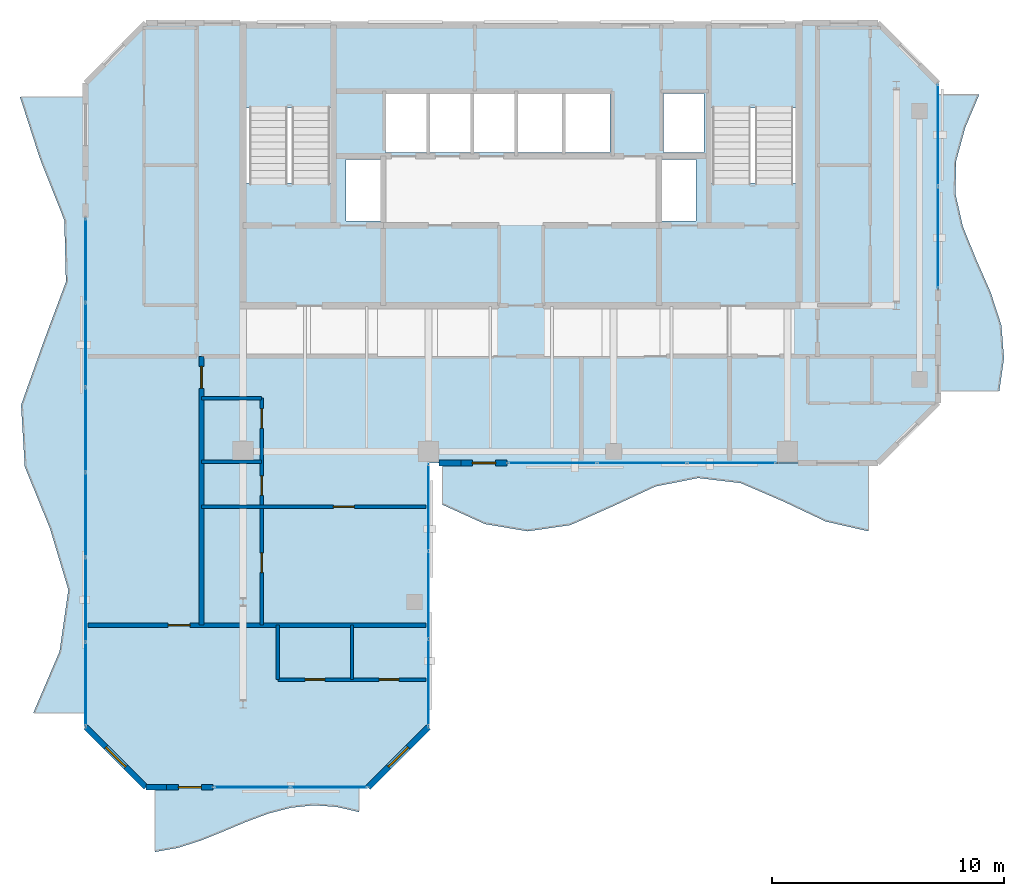
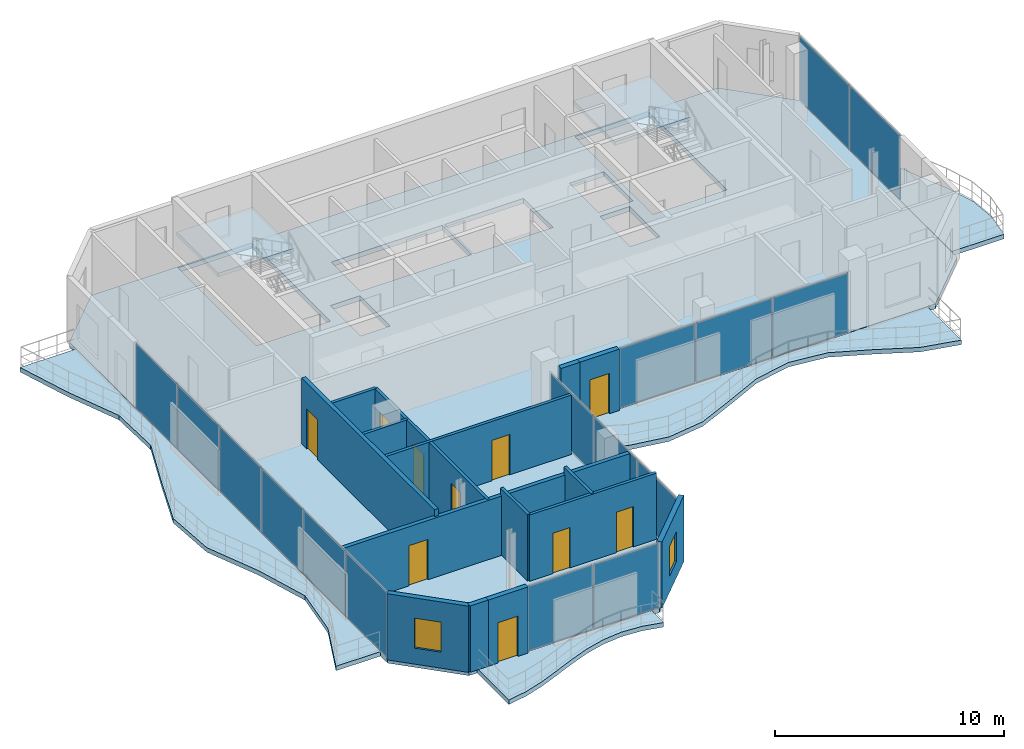
# One storey, part 11 of 16: 16 plates, 15 walls, 10 doors, 7 slabs, 2 windows, 12 openings, 7 elements without a shape of their own.
"""IFC4 building model written with IfcOpenShell, lengths in metres."""

from ifc_helpers import new_model, si_unit, direction, frame, frame_2d, origin, origin_2d, place, context, subcontext, project, spatial, polyline, rectangle, outline, extrude, material, layer, layer_set, type_object, element, fill, aggregate, save


model = new_model("IFC4")

# Units and contexts
model_context = context("Model", 3, precision=1e-05, world=origin(), true_north=direction((0.0, 1.0)))
body_context = subcontext(model_context, "Body", "Model", "MODEL_VIEW")
ifc_project = project(units=[si_unit("LENGTHUNIT", "METRE"), si_unit("AREAUNIT", "SQUARE_METRE"), si_unit("VOLUMEUNIT", "CUBIC_METRE"), si_unit("PLANEANGLEUNIT", "RADIAN"), si_unit("MASSUNIT", "GRAM", prefix="KILO")], contexts=[model_context])

# Site, building, storey
site_placement = place(None, origin())
site = spatial("IfcSite", under=ifc_project, at=site_placement, CompositionType="ELEMENT")
building_placement = place(site_placement, origin())
building = spatial("IfcBuilding", under=site, at=building_placement, Name="Catumbela Crestline Tower", CompositionType="ELEMENT")
storey_placement = place(building_placement, frame((0.0, 0.0, 275.4)))
storey = spatial("IfcBuildingStorey", under=building, at=storey_placement, Name="L71", CompositionType="ELEMENT", Elevation=275.4)

# Curtain wall, plates
ifc_material_1 = material(Name="Aluminium alloy AW-6060-T66", Category="aluminium")
ifc_layer_1 = layer(ifc_material_1, 0.18, Name="Aluminium alloy AW-6060-T66")
ifc_layer_set_1 = layer_set([ifc_layer_1], Name="Aluminium alloy AW-6060-T66")
curtain_wall_type = type_object("IfcCurtainWallType", Name="CWU-Z4", PredefinedType="USERDEFINED", material=ifc_layer_set_1)
curtain_wall_1_placement = place(storey_placement, origin())
curtain_wall_1 = element("IfcCurtainWall", 1, at=curtain_wall_1_placement, inside=storey, type_object=curtain_wall_type, Name="L71 Unitised Curtain Wall CW-L71-E0S2", ObjectType="UNITISED", PredefinedType="USERDEFINED")
ifc_material_2 = material(Name="Low-E laminated solar-control double glazing", Category="glass")
ifc_layer_2 = layer(ifc_material_2, 0.036, Name="Low-E laminated solar-control double glazing")
ifc_layer_set_2 = layer_set([ifc_layer_2], Name="Low-E laminated solar-control double glazing")
plate_type = type_object("IfcPlateType", Name="PNL-GLZ-Z4", PredefinedType="CURTAIN_PANEL", material=ifc_layer_set_2)
plate_1_placement = place(storey_placement, frame((16.3912, 10.0, 0.06), z_axis=(0.0, 0.0, 1.0), x_axis=(1.0, 0.0, 0.0)))
plate_1 = element("IfcPlate", 2, at=plate_1_placement, type_object=plate_type, Name="CWU-Z4 panel 1.1", PredefinedType="CURTAIN_PANEL", context=body_context, shape_type="SweptSolid", body=[
    extrude(rectangle(XDim=3.2525, YDim=0.034, at=origin_2d()), origin(), (0.0, 0.0, 1.0), 3.41),
])
plate_2_placement = place(storey_placement, frame((19.7087, 10.0, 0.06), z_axis=(0.0, 0.0, 1.0), x_axis=(1.0, 0.0, 0.0)))
plate_2 = element("IfcPlate", 3, at=plate_2_placement, type_object=plate_type, Name="CWU-Z4 panel 2.1", PredefinedType="CURTAIN_PANEL", context=body_context, shape_type="SweptSolid", body=[
    extrude(rectangle(XDim=3.2525, YDim=0.034, at=origin_2d()), origin(), (0.0, 0.0, 1.0), 3.41),
])
aggregate(curtain_wall_1, [plate_1, plate_2])

curtain_wall_2_placement = place(storey_placement, origin())
curtain_wall_2 = element("IfcCurtainWall", 4, at=curtain_wall_2_placement, inside=storey, type_object=curtain_wall_type, Name="L71 Unitised Curtain Wall CW-L71-E2S1", ObjectType="UNITISED", PredefinedType="USERDEFINED")
plate_3_placement = place(storey_placement, frame((24.0, 14.5162, 0.06), z_axis=(0.0, 0.0, 1.0), x_axis=(0.0, 1.0, 0.0)))
plate_3 = element("IfcPlate", 5, at=plate_3_placement, type_object=plate_type, Name="CWU-Z4 panel 1.1", PredefinedType="CURTAIN_PANEL", context=body_context, shape_type="SweptSolid", body=[
    extrude(rectangle(XDim=3.7025, YDim=0.034, at=origin_2d()), origin(), (0.0, 0.0, 1.0), 3.04),
])
plate_4_placement = place(storey_placement, frame((24.0, 18.3, 0.06), z_axis=(0.0, 0.0, 1.0), x_axis=(0.0, 1.0, 0.0)))
plate_4 = element("IfcPlate", 6, at=plate_4_placement, type_object=plate_type, Name="CWU-Z4 panel 2.1", PredefinedType="CURTAIN_PANEL", context=body_context, shape_type="SweptSolid", body=[
    extrude(rectangle(XDim=3.735, YDim=0.034, at=origin_2d()), origin(), (0.0, 0.0, 1.0), 3.04),
])
plate_5_placement = place(storey_placement, frame((24.0, 22.0837, 0.06), z_axis=(0.0, 0.0, 1.0), x_axis=(0.0, 1.0, 0.0)))
plate_5 = element("IfcPlate", 7, at=plate_5_placement, type_object=plate_type, Name="CWU-Z4 panel 3.1", PredefinedType="CURTAIN_PANEL", context=body_context, shape_type="SweptSolid", body=[
    extrude(rectangle(XDim=3.7025, YDim=0.034, at=origin_2d()), origin(), (0.0, 0.0, 1.0), 3.04),
])
aggregate(curtain_wall_2, [plate_3, plate_4, plate_5])

curtain_wall_3_placement = place(storey_placement, origin())
curtain_wall_3 = element("IfcCurtainWall", 8, at=curtain_wall_3_placement, inside=storey, type_object=curtain_wall_type, Name="L71 Unitised Curtain Wall CW-L71-E3S2", ObjectType="UNITISED", PredefinedType="USERDEFINED")
plate_6_placement = place(storey_placement, frame((29.3579, 24.0, 0.06), z_axis=(0.0, 0.0, 1.0), x_axis=(1.0, 0.0, 0.0)))
plate_6 = element("IfcPlate", 9, at=plate_6_placement, type_object=plate_type, Name="CWU-Z4 panel 1.1", PredefinedType="CURTAIN_PANEL", context=body_context, shape_type="SweptSolid", body=[
    extrude(rectangle(XDim=3.7858, YDim=0.034, at=origin_2d()), origin(), (0.0, 0.0, 1.0), 3.15),
])
plate_7_placement = place(storey_placement, frame((33.225, 24.0, 0.06), z_axis=(0.0, 0.0, 1.0), x_axis=(1.0, 0.0, 0.0)))
plate_7 = element("IfcPlate", 10, at=plate_7_placement, type_object=plate_type, Name="CWU-Z4 panel 2.1", PredefinedType="CURTAIN_PANEL", context=body_context, shape_type="SweptSolid", body=[
    extrude(rectangle(XDim=3.8183, YDim=0.034, at=origin_2d()), origin(), (0.0, 0.0, 1.0), 3.15),
])
plate_8_placement = place(storey_placement, frame((37.0921, 24.0, 0.06), z_axis=(0.0, 0.0, 1.0), x_axis=(1.0, 0.0, 0.0)))
plate_8 = element("IfcPlate", 11, at=plate_8_placement, type_object=plate_type, Name="CWU-Z4 panel 3.1", PredefinedType="CURTAIN_PANEL", context=body_context, shape_type="SweptSolid", body=[
    extrude(rectangle(XDim=3.7858, YDim=0.034, at=origin_2d()), origin(), (0.0, 0.0, 1.0), 3.15),
])
aggregate(curtain_wall_3, [plate_6, plate_7, plate_8])

curtain_wall_4_placement = place(storey_placement, origin())
curtain_wall_4 = element("IfcCurtainWall", 12, at=curtain_wall_4_placement, inside=storey, type_object=curtain_wall_type, Name="L71 Unitised Curtain Wall CW-L71-E5S2", ObjectType="UNITISED", PredefinedType="USERDEFINED")
plate_9_placement = place(storey_placement, frame((46.0, 33.7412, 0.06), z_axis=(0.0, 0.0, 1.0), x_axis=(0.0, 1.0, 0.0)))
plate_9 = element("IfcPlate", 13, at=plate_9_placement, type_object=plate_type, Name="CWU-Z4 panel 1.1", PredefinedType="CURTAIN_PANEL", context=body_context, shape_type="SweptSolid", body=[
    extrude(rectangle(XDim=4.3525, YDim=0.034, at=origin_2d()), origin(), (0.0, 0.0, 1.0), 3.41),
])
plate_10_placement = place(storey_placement, frame((46.0, 38.1588, 0.06), z_axis=(0.0, 0.0, 1.0), x_axis=(0.0, 1.0, 0.0)))
plate_10 = element("IfcPlate", 14, at=plate_10_placement, type_object=plate_type, Name="CWU-Z4 panel 2.1", PredefinedType="CURTAIN_PANEL", context=body_context, shape_type="SweptSolid", body=[
    extrude(rectangle(XDim=4.3525, YDim=0.034, at=origin_2d()), origin(), (0.0, 0.0, 1.0), 3.41),
])
aggregate(curtain_wall_4, [plate_9, plate_10])

curtain_wall_5_placement = place(storey_placement, origin())
curtain_wall_5 = element("IfcCurtainWall", 15, at=curtain_wall_5_placement, inside=storey, type_object=curtain_wall_type, Name="L71 Unitised Curtain Wall CW-L71-E9S2", ObjectType="UNITISED", PredefinedType="USERDEFINED")
plate_11_placement = place(storey_placement, frame((9.2, 32.7504, 0.06), z_axis=(0.0, 0.0, 1.0), x_axis=(0.0, -1.0, 0.0)))
plate_11 = element("IfcPlate", 16, at=plate_11_placement, type_object=plate_type, Name="CWU-Z4 panel 1.1", PredefinedType="CURTAIN_PANEL", context=body_context, shape_type="SweptSolid", body=[
    extrude(rectangle(XDim=3.5692, YDim=0.034, at=origin_2d()), origin(), (0.0, 0.0, 1.0), 3.41),
])
plate_12_placement = place(storey_placement, frame((9.2, 29.1, 0.06), z_axis=(0.0, 0.0, 1.0), x_axis=(0.0, -1.0, 0.0)))
plate_12 = element("IfcPlate", 17, at=plate_12_placement, type_object=plate_type, Name="CWU-Z4 panel 2.1", PredefinedType="CURTAIN_PANEL", context=body_context, shape_type="SweptSolid", body=[
    extrude(rectangle(XDim=3.6017, YDim=0.034, at=origin_2d()), origin(), (0.0, 0.0, 1.0), 3.41),
])
plate_13_placement = place(storey_placement, frame((9.2, 25.4333, 0.06), z_axis=(0.0, 0.0, 1.0), x_axis=(0.0, -1.0, 0.0)))
plate_13 = element("IfcPlate", 18, at=plate_13_placement, type_object=plate_type, Name="CWU-Z4 panel 3.1", PredefinedType="CURTAIN_PANEL", context=body_context, shape_type="SweptSolid", body=[
    extrude(rectangle(XDim=3.6017, YDim=0.034, at=origin_2d()), origin(), (0.0, 0.0, 1.0), 3.41),
])
plate_14_placement = place(storey_placement, frame((9.2, 21.7667, 0.06), z_axis=(0.0, 0.0, 1.0), x_axis=(0.0, -1.0, 0.0)))
plate_14 = element("IfcPlate", 19, at=plate_14_placement, type_object=plate_type, Name="CWU-Z4 panel 4.1", PredefinedType="CURTAIN_PANEL", context=body_context, shape_type="SweptSolid", body=[
    extrude(rectangle(XDim=3.6017, YDim=0.034, at=origin_2d()), origin(), (0.0, 0.0, 1.0), 3.41),
])
plate_15_placement = place(storey_placement, frame((9.2, 18.1, 0.06), z_axis=(0.0, 0.0, 1.0), x_axis=(0.0, -1.0, 0.0)))
plate_15 = element("IfcPlate", 20, at=plate_15_placement, type_object=plate_type, Name="CWU-Z4 panel 5.1", PredefinedType="CURTAIN_PANEL", context=body_context, shape_type="SweptSolid", body=[
    extrude(rectangle(XDim=3.6017, YDim=0.034, at=origin_2d()), origin(), (0.0, 0.0, 1.0), 3.41),
])
plate_16_placement = place(storey_placement, frame((9.2, 14.4496, 0.06), z_axis=(0.0, 0.0, 1.0), x_axis=(0.0, -1.0, 0.0)))
plate_16 = element("IfcPlate", 21, at=plate_16_placement, type_object=plate_type, Name="CWU-Z4 panel 6.1", PredefinedType="CURTAIN_PANEL", context=body_context, shape_type="SweptSolid", body=[
    extrude(rectangle(XDim=3.5692, YDim=0.034, at=origin_2d()), origin(), (0.0, 0.0, 1.0), 3.41),
])
aggregate(curtain_wall_5, [plate_11, plate_12, plate_13, plate_14, plate_15, plate_16])

# Stair, slab
ifc_material_3 = material(Name="Concrete C45/55", Category="concrete")
stair_type = type_object("IfcStairType", Name="ST-DLG", PredefinedType="HALF_TURN_STAIR", material=ifc_material_3)
stair_1_placement = place(storey_placement, origin())
stair_1 = element("IfcStair", 22, at=stair_1_placement, inside=storey, type_object=stair_type, Name="L71 West Core Pressurised Exit Stair ST-01", PredefinedType="HALF_TURN_STAIR")
ifc_layer_3 = layer(ifc_material_3, 0.2, Name="Concrete C45/55")
ifc_layer_set_3 = layer_set([ifc_layer_3], Name="Concrete C45/55")
slab_type_1 = type_object("IfcSlabType", Name="SL-LND", PredefinedType="LANDING", material=ifc_layer_set_3)
slab_1_placement = place(storey_placement, frame((0.0, 0.0, 1.7)))
slab_1 = element("IfcSlab", 23, at=slab_1_placement, type_object=slab_type_1, Name="ST-01 landing 1", PredefinedType="LANDING", context=body_context, shape_type="SweptSolid", body=[
    extrude(outline(polyline([(19.91, 39.33), (19.91, 42.96), (16.09, 42.96), (16.09, 39.33), (19.91, 39.33)])), origin(), (0.0, 0.0, 1.0), 0.2),
])
aggregate(stair_1, [slab_1])

stair_2_placement = place(storey_placement, origin())
stair_2 = element("IfcStair", 24, at=stair_2_placement, inside=storey, type_object=stair_type, Name="L71 East Core Pressurised Exit Stair ST-02", PredefinedType="HALF_TURN_STAIR")
slab_2_placement = place(storey_placement, frame((0.0, 0.0, 1.7)))
slab_2 = element("IfcSlab", 25, at=slab_2_placement, type_object=slab_type_1, Name="ST-02 landing 1", PredefinedType="LANDING", context=body_context, shape_type="SweptSolid", body=[
    extrude(outline(polyline([(39.91, 39.33), (39.91, 42.96), (36.09, 42.96), (36.09, 39.33), (39.91, 39.33)])), origin(), (0.0, 0.0, 1.0), 0.2),
])
aggregate(stair_2, [slab_2])

# Slabs
ifc_layer_4 = layer(ifc_material_3, 0.26, Name="Concrete C45/55")
ifc_layer_set_4 = layer_set([ifc_layer_4], Name="Concrete C45/55")
slab_type_2 = type_object("IfcSlabType", Name="SL-260", PredefinedType="FLOOR", material=ifc_layer_set_4)
slab_3_placement = place(storey_placement, frame((0.0, 0.0, -0.26)))
element("IfcSlab", 26, at=slab_3_placement, inside=storey, type_object=slab_type_2, Name="L71 Structural Floor Slab", PredefinedType="FLOOR", context=body_context, shape_type="SweptSolid", body=[
    extrude(outline(polyline([(11.8, 10.0), (21.4, 10.0), (24.0, 12.6), (24.0, 24.0), (43.4, 24.0), (46.0, 26.6), (46.0, 40.4), (43.4, 43.0), (11.8, 43.0), (9.2, 40.4), (9.2, 12.6), (11.8, 10.0)]), holes=[polyline([(16.13, 36.08), (19.87, 36.08), (19.87, 42.92), (16.13, 42.92), (16.13, 36.08)]), polyline([(36.13, 36.08), (39.87, 36.08), (39.87, 42.92), (36.13, 42.92), (36.13, 36.08)]), polyline([(22.15, 37.4), (27.75, 37.4), (27.75, 39.95), (22.15, 39.95), (22.15, 37.4)]), polyline([(27.85, 37.4), (31.85, 37.4), (31.85, 39.95), (27.85, 39.95), (27.85, 37.4)]), polyline([(20.45, 34.45), (21.95, 34.45), (21.95, 37.1), (20.45, 37.1), (20.45, 34.45)]), polyline([(34.05, 34.45), (35.55, 34.45), (35.55, 37.1), (34.05, 37.1), (34.05, 34.45)]), polyline([(34.15, 37.4), (35.9, 37.4), (35.9, 39.95), (34.15, 39.95), (34.15, 37.4)])]), origin(), (0.0, 0.0, 1.0), 0.26),
])
ifc_layer_5 = layer(ifc_material_3, 0.24, Name="Concrete C45/55")
ifc_layer_set_5 = layer_set([ifc_layer_5], Name="Concrete C45/55")
slab_type_3 = type_object("IfcSlabType", Name="SB-240W", PredefinedType="USERDEFINED", material=ifc_layer_set_5)
slab_4_placement = place(storey_placement, frame((0.0, 0.0, -0.24)))
element("IfcSlab", 27, at=slab_4_placement, inside=storey, type_object=slab_type_3, Name="L71 Cantilevered Wave Balcony Slab SPINE-S", ObjectType="BALCONY", PredefinedType="USERDEFINED", context=body_context, shape_type="SweptSolid", body=[
    extrude(outline(polyline([(24.6, 22.2), (26.44, 21.364), (28.28, 21.05), (30.12, 21.315), (31.96, 22.1297), (33.8, 22.9841), (35.64, 23.35), (37.48, 23.131), (39.32, 22.3404), (41.16, 21.4705), (43.0, 21.05), (43.0, 23.99), (24.6, 23.99), (24.6, 22.2)])), origin(), (0.0, 0.0, 1.0), 0.24),
])
slab_5_placement = place(storey_placement, frame((0.0, 0.0, -0.24)))
element("IfcSlab", 28, at=slab_5_placement, inside=storey, type_object=slab_type_3, Name="L71 Cantilevered Wave Balcony Slab SPINE-E", ObjectType="BALCONY", PredefinedType="USERDEFINED", context=body_context, shape_type="SweptSolid", body=[
    extrude(outline(polyline([(46.01, 27.1), (48.646, 27.1), (48.85, 28.5222), (48.7369, 29.9444), (48.274, 31.3667), (47.6478, 32.7889), (47.0741, 34.2111), (46.7504, 35.6333), (46.7884, 37.0556), (47.1749, 38.4778), (47.7767, 39.9), (46.01, 39.9), (46.01, 27.1)])), origin(), (0.0, 0.0, 1.0), 0.24),
])
slab_6_placement = place(storey_placement, frame((0.0, 0.0, -0.24)))
element("IfcSlab", 29, at=slab_6_placement, inside=storey, type_object=slab_type_3, Name="L71 Cantilevered Wave Balcony Slab WING-S", ObjectType="BALCONY", PredefinedType="USERDEFINED", context=body_context, shape_type="SweptSolid", body=[
    extrude(outline(polyline([(12.2, 7.2067), (13.1778, 7.3811), (14.1556, 7.691), (15.1333, 8.0851), (16.1111, 8.4982), (17.0889, 8.862), (18.0667, 9.1162), (19.0444, 9.2189), (20.0222, 9.1531), (21.0, 8.9296), (21.0, 9.99), (12.2, 9.99), (12.2, 7.2067)])), origin(), (0.0, 0.0, 1.0), 0.24),
])
slab_7_placement = place(storey_placement, frame((0.0, 0.0, -0.24)))
element("IfcSlab", 30, at=slab_7_placement, inside=storey, type_object=slab_type_3, Name="L71 Cantilevered Wave Balcony Slab WEST", ObjectType="BALCONY", PredefinedType="USERDEFINED", context=body_context, shape_type="SweptSolid", body=[
    extrude(outline(polyline([(9.19, 39.8), (6.3666, 39.8), (7.2262, 37.14), (8.2801, 34.48), (8.3498, 31.82), (7.3574, 29.16), (6.4126, 26.5), (6.572, 23.84), (7.6573, 21.18), (8.4549, 18.52), (8.0729, 15.86), (6.9384, 13.2), (9.19, 13.2), (9.19, 39.8)])), origin(), (0.0, 0.0, 1.0), 0.24),
])

# Wall, opening, door
ifc_material_4 = material(Name="Acoustic gypsum and mineral-wool partition")
ifc_layer_6 = layer(ifc_material_4, 0.2, Name="Acoustic gypsum and mineral-wool partition")
ifc_layer_set_6 = layer_set([ifc_layer_6], Name="Acoustic gypsum and mineral-wool partition")
wall_type_1 = type_object("IfcWallType", Name="WC-200", PredefinedType="PARTITIONING", material=ifc_layer_set_6)
wall_1_placement = place(storey_placement, frame((14.2, 17.0, 0.0), z_axis=(0.0, 0.0, 1.0), x_axis=(0.0, 1.0, 0.0)))
wall_1 = element("IfcWall", 31, at=wall_1_placement, inside=storey, type_object=wall_type_1, Name="L71 Interior Partition PW-L71-WR1-ENT", PredefinedType="PARTITIONING", context=body_context, shape_type="SweptSolid", body=[
    extrude(rectangle(XDim=11.6, YDim=0.2, at=frame_2d((5.8, 0.0))), origin(), (0.0, 0.0, 1.0), 3.53),
])
opening_1_placement = place(wall_1_placement, frame((10.225, 0.0, 0.0)))
opening_1 = element("IfcOpeningElement", 32, at=opening_1_placement, cuts=wall_1, Name="Opening DF6-095", PredefinedType="OPENING", context=body_context, shape_type="SweptSolid", body=[
    extrude(rectangle(XDim=0.95, YDim=2.15, at=frame_2d((0.475, 1.075))), frame((0.0, 0.11, 0.0), z_axis=(0.0, -1.0, 0.0), x_axis=(1.0, 0.0, 0.0)), (0.0, 0.0, 1.0), 0.22),
])
door_type_1 = type_object("IfcDoorType", Name="DF6-095", OperationType="NOTDEFINED", PredefinedType="DOOR", material=ifc_material_1)
door_1_placement = place(opening_1_placement, origin())
door_1 = element("IfcDoor", 33, at=door_1_placement, inside=storey, type_object=door_type_1, Name="L71 Interior Door DR-L71-WR1-ENT", OperationType="SINGLE_SWING_LEFT", OverallHeight=2.15, OverallWidth=0.95, PredefinedType="DOOR", context=body_context, shape_type="SweptSolid", body=[
    extrude(rectangle(XDim=0.95, YDim=2.15, at=frame_2d((0.475, 1.075))), frame((0.0, 0.025, 0.0), z_axis=(0.0, -1.0, 0.0), x_axis=(1.0, 0.0, 0.0)), (0.0, 0.0, 1.0), 0.05),
])
fill(opening_1, door_1)

ifc_material_5 = material(Name="Angolan grey-ochre granite", Category="masonry")
ifc_layer_7 = layer(ifc_material_5, 0.25, Name="Angolan grey-ochre granite")
ifc_layer_set_7 = layer_set([ifc_layer_7], Name="Angolan grey-ochre granite")
wall_type_2 = type_object("IfcWallType", Name="WE-250", PredefinedType="STANDARD", material=ifc_layer_set_7)
wall_2_placement = place(storey_placement, frame((12.7, 10.0, 0.0), z_axis=(0.0, 0.0, 1.0), x_axis=(1.0, 0.0, 0.0)))
wall_2 = element("IfcWall", 34, at=wall_2_placement, inside=storey, type_object=wall_type_2, Name="L71 Exterior Threshold Portal Wall DR-L71-WBAL-3", PredefinedType="STANDARD", context=body_context, shape_type="SweptSolid", body=[
    extrude(rectangle(XDim=2.0, YDim=0.25, at=frame_2d((1.0, 0.0))), origin(), (0.0, 0.0, 1.0), 3.53),
])
opening_2_placement = place(wall_2_placement, frame((0.5, 0.0, 0.0)))
opening_2 = element("IfcOpeningElement", 35, at=opening_2_placement, cuts=wall_2, Name="Opening DB-L71-3", PredefinedType="OPENING", context=body_context, shape_type="SweptSolid", body=[
    extrude(rectangle(XDim=1.0, YDim=2.15, at=frame_2d((0.5, 1.075))), frame((0.0, 0.135, 0.0), z_axis=(0.0, -1.0, 0.0), x_axis=(1.0, 0.0, 0.0)), (0.0, 0.0, 1.0), 0.27),
])
door_type_2 = type_object("IfcDoorType", Name="DB-1000", OperationType="NOTDEFINED", PredefinedType="DOOR", material=ifc_material_1)
door_2_placement = place(opening_2_placement, origin())
door_2 = element("IfcDoor", 36, at=door_2_placement, inside=storey, type_object=door_type_2, Name="L71 Wave Balcony Terrace Door 3", OperationType="SINGLE_SWING_LEFT", OverallHeight=2.15, OverallWidth=1.0, PredefinedType="DOOR", context=body_context, shape_type="SweptSolid", body=[
    extrude(rectangle(XDim=1.0, YDim=2.15, at=frame_2d((0.5, 1.075))), frame((0.0, 0.025, 0.0), z_axis=(0.0, -1.0, 0.0), x_axis=(1.0, 0.0, 0.0)), (0.0, 0.0, 1.0), 0.05),
])
fill(opening_2, door_2)

# Wall
wall_3_placement = place(storey_placement, frame((11.8, 10.0, 0.0), z_axis=(0.0, 0.0, 1.0), x_axis=(1.0, 0.0, 0.0)))
element("IfcWall", 37, at=wall_3_placement, inside=storey, type_object=wall_type_2, Name="L71 Granite Punched Window Wall 0-1", PredefinedType="STANDARD", context=body_context, shape_type="SweptSolid", body=[
    extrude(rectangle(XDim=0.9, YDim=0.25, at=frame_2d((0.45, 0.0))), origin(), (0.0, 0.0, 1.0), 3.53),
])

# Wall, opening, window
wall_4_placement = place(storey_placement, frame((21.4, 10.0, 0.0), z_axis=(0.0, 0.0, 1.0), x_axis=(0.707106781187, 0.707106781187, 0.0)))
wall_4 = element("IfcWall", 38, at=wall_4_placement, inside=storey, type_object=wall_type_2, Name="L71 Granite Punched Window Wall 1-1", PredefinedType="STANDARD", context=body_context, shape_type="SweptSolid", body=[
    extrude(rectangle(XDim=3.677, YDim=0.25, at=frame_2d((1.8385, 0.0))), origin(), (0.0, 0.0, 1.0), 3.53),
])
opening_3_placement = place(wall_4_placement, frame((1.2385, 0.0, 0.85)))
opening_3 = element("IfcOpeningElement", 39, at=opening_3_placement, cuts=wall_4, Name="Opening WN-02", PredefinedType="OPENING", context=body_context, shape_type="SweptSolid", body=[
    extrude(rectangle(XDim=1.2, YDim=1.6, at=frame_2d((0.6, 0.8))), frame((0.0, 0.135, 0.0), z_axis=(0.0, -1.0, 0.0), x_axis=(1.0, 0.0, 0.0)), (0.0, 0.0, 1.0), 0.27),
])
window_type = type_object("IfcWindowType", Name="WO-1200", PartitioningType="SINGLE_PANEL", PredefinedType="WINDOW", material=ifc_material_2)
window_1_placement = place(opening_3_placement, origin())
window_1 = element("IfcWindow", 40, at=window_1_placement, inside=storey, type_object=window_type, Name="L71 Facade Vision Window 566", OverallHeight=1.6, OverallWidth=1.2, PartitioningType="SINGLE_PANEL", PredefinedType="WINDOW", context=body_context, shape_type="SweptSolid", body=[
    extrude(rectangle(XDim=1.2, YDim=1.6, at=frame_2d((0.6, 0.8))), frame((0.0, 0.03, 0.0), z_axis=(0.0, -1.0, 0.0), x_axis=(1.0, 0.0, 0.0)), (0.0, 0.0, 1.0), 0.06),
])
fill(opening_3, window_1)

# Wall, opening, door
wall_5_placement = place(storey_placement, frame((25.4, 24.0, 0.0), z_axis=(0.0, 0.0, 1.0), x_axis=(1.0, 0.0, 0.0)))
wall_5 = element("IfcWall", 41, at=wall_5_placement, inside=storey, type_object=wall_type_2, Name="L71 Exterior Threshold Portal Wall DR-L71-WBAL-1", PredefinedType="STANDARD", context=body_context, shape_type="SweptSolid", body=[
    extrude(rectangle(XDim=2.0, YDim=0.25, at=frame_2d((1.0, 0.0))), origin(), (0.0, 0.0, 1.0), 3.27),
])
opening_4_placement = place(wall_5_placement, frame((0.5, 0.0, 0.0)))
opening_4 = element("IfcOpeningElement", 42, at=opening_4_placement, cuts=wall_5, Name="Opening DB-L71-1", PredefinedType="OPENING", context=body_context, shape_type="SweptSolid", body=[
    extrude(rectangle(XDim=1.0, YDim=2.15, at=frame_2d((0.5, 1.075))), frame((0.0, 0.135, 0.0), z_axis=(0.0, -1.0, 0.0), x_axis=(1.0, 0.0, 0.0)), (0.0, 0.0, 1.0), 0.27),
])
door_3_placement = place(opening_4_placement, origin())
door_3 = element("IfcDoor", 43, at=door_3_placement, inside=storey, type_object=door_type_2, Name="L71 Wave Balcony Terrace Door 1", OperationType="SINGLE_SWING_LEFT", OverallHeight=2.15, OverallWidth=1.0, PredefinedType="DOOR", context=body_context, shape_type="SweptSolid", body=[
    extrude(rectangle(XDim=1.0, YDim=2.15, at=frame_2d((0.5, 1.075))), frame((0.0, 0.025, 0.0), z_axis=(0.0, -1.0, 0.0), x_axis=(1.0, 0.0, 0.0)), (0.0, 0.0, 1.0), 0.05),
])
fill(opening_4, door_3)

# Wall
wall_6_placement = place(storey_placement, frame((24.45, 24.0, 0.0), z_axis=(0.0, 0.0, 1.0), x_axis=(1.0, 0.0, 0.0)))
element("IfcWall", 44, at=wall_6_placement, inside=storey, type_object=wall_type_2, Name="L71 Granite Punched Window Wall 3-1", PredefinedType="STANDARD", context=body_context, shape_type="SweptSolid", body=[
    extrude(rectangle(XDim=0.95, YDim=0.25, at=frame_2d((0.475, 0.0))), origin(), (0.0, 0.0, 1.0), 3.27),
])

# Wall, opening, window
wall_7_placement = place(storey_placement, frame((9.2, 12.6, 0.0), z_axis=(0.0, 0.0, 1.0), x_axis=(0.707106781187, -0.707106781187, 0.0)))
wall_7 = element("IfcWall", 45, at=wall_7_placement, inside=storey, type_object=wall_type_2, Name="L71 Granite Punched Window Wall 10-1", PredefinedType="STANDARD", context=body_context, shape_type="SweptSolid", body=[
    extrude(rectangle(XDim=3.677, YDim=0.25, at=frame_2d((1.8385, 0.0))), origin(), (0.0, 0.0, 1.0), 3.53),
])
opening_5_placement = place(wall_7_placement, frame((1.2385, 0.0, 0.85)))
opening_5 = element("IfcOpeningElement", 46, at=opening_5_placement, cuts=wall_7, Name="Opening WN-02", PredefinedType="OPENING", context=body_context, shape_type="SweptSolid", body=[
    extrude(rectangle(XDim=1.2, YDim=1.6, at=frame_2d((0.6, 0.8))), frame((0.0, 0.135, 0.0), z_axis=(0.0, -1.0, 0.0), x_axis=(1.0, 0.0, 0.0)), (0.0, 0.0, 1.0), 0.27),
])
window_2_placement = place(opening_5_placement, origin())
window_2 = element("IfcWindow", 47, at=window_2_placement, inside=storey, type_object=window_type, Name="L71 Facade Vision Window 576", OverallHeight=1.6, OverallWidth=1.2, PartitioningType="SINGLE_PANEL", PredefinedType="WINDOW", context=body_context, shape_type="SweptSolid", body=[
    extrude(rectangle(XDim=1.2, YDim=1.6, at=frame_2d((0.6, 0.8))), frame((0.0, 0.03, 0.0), z_axis=(0.0, -1.0, 0.0), x_axis=(1.0, 0.0, 0.0)), (0.0, 0.0, 1.0), 0.06),
])
fill(opening_5, window_2)

# Wall, opening, door
ifc_layer_8 = layer(ifc_material_4, 0.15, Name="Acoustic gypsum and mineral-wool partition")
ifc_layer_set_8 = layer_set([ifc_layer_8], Name="Acoustic gypsum and mineral-wool partition")
wall_type_3 = type_object("IfcWallType", Name="WP-150", PredefinedType="PARTITIONING", material=ifc_layer_set_8)
wall_8_placement = place(storey_placement, frame((14.2, 22.104, 0.0), z_axis=(0.0, 0.0, 1.0), x_axis=(1.0, 0.0, 0.0)))
wall_8 = element("IfcWall", 48, at=wall_8_placement, inside=storey, type_object=wall_type_3, Name="L71 Interior Partition PW-L71-WR1-KBS", PredefinedType="PARTITIONING", context=body_context, shape_type="SweptSolid", body=[
    extrude(rectangle(XDim=9.7, YDim=0.15, at=frame_2d((4.85, 0.0))), origin(), (0.0, 0.0, 1.0), 3.16),
])
opening_6_placement = place(wall_8_placement, frame((5.7, 0.0, 0.0)))
opening_6 = element("IfcOpeningElement", 49, at=opening_6_placement, cuts=wall_8, Name="Opening DI-090", PredefinedType="OPENING", context=body_context, shape_type="SweptSolid", body=[
    extrude(rectangle(XDim=0.9, YDim=2.15, at=frame_2d((0.45, 1.075))), frame((0.0, 0.085, 0.0), z_axis=(0.0, -1.0, 0.0), x_axis=(1.0, 0.0, 0.0)), (0.0, 0.0, 1.0), 0.17),
])
door_type_3 = type_object("IfcDoorType", Name="DI-090", OperationType="NOTDEFINED", PredefinedType="DOOR", material=ifc_material_1)
door_4_placement = place(opening_6_placement, origin())
door_4 = element("IfcDoor", 50, at=door_4_placement, inside=storey, type_object=door_type_3, Name="L71 Interior Door DR-L71-WR1-BD1", OperationType="SINGLE_SWING_LEFT", OverallHeight=2.15, OverallWidth=0.9, PredefinedType="DOOR", context=body_context, shape_type="SweptSolid", body=[
    extrude(rectangle(XDim=0.9, YDim=2.15, at=frame_2d((0.45, 1.075))), frame((0.0, 0.025, 0.0), z_axis=(0.0, -1.0, 0.0), x_axis=(1.0, 0.0, 0.0)), (0.0, 0.0, 1.0), 0.05),
])
fill(opening_6, door_4)

# Walls
for number, where, z_axis, x_axis, name in (
    (51, (14.2, 24.054, 0.0), (0.0, 0.0, 1.0), (1.0, 0.0, 0.0), "L71 Interior Partition PW-L71-WR1-KBM"),
    (52, (14.2, 26.8, 0.0), (0.0, 0.0, 1.0), (1.0, 0.0, 0.0), "L71 Interior Partition PW-L71-WR1-KBN"),
):
    element("IfcWall", number, at=place(storey_placement, frame(where, z_axis=z_axis, x_axis=x_axis)), inside=storey, type_object=wall_type_3, Name=name, PredefinedType="PARTITIONING", context=body_context, shape_type="SweptSolid", body=[
        extrude(rectangle(XDim=2.6, YDim=0.15, at=frame_2d((1.3, 0.0))), origin(), (0.0, 0.0, 1.0), 3.16),
    ])

# Wall, openings, doors
wall_9_placement = place(storey_placement, frame((16.8, 17.0, 0.0), z_axis=(0.0, 0.0, 1.0), x_axis=(0.0, 1.0, 0.0)))
wall_9 = element("IfcWall", 53, at=wall_9_placement, inside=storey, type_object=wall_type_3, Name="L71 Interior Partition PW-L71-WR1-LB", PredefinedType="PARTITIONING", context=body_context, shape_type="SweptSolid", body=[
    extrude(rectangle(XDim=9.8, YDim=0.15, at=frame_2d((4.9, 0.0))), origin(), (0.0, 0.0, 1.0), 3.16),
])
opening_7_placement = place(wall_9_placement, frame((5.5983, 0.0, 0.0)))
opening_7 = element("IfcOpeningElement", 54, at=opening_7_placement, cuts=wall_9, Name="Opening DI-085", PredefinedType="OPENING", context=body_context, shape_type="SweptSolid", body=[
    extrude(rectangle(XDim=0.85, YDim=2.15, at=frame_2d((0.425, 1.075))), frame((0.0, 0.085, 0.0), z_axis=(0.0, -1.0, 0.0), x_axis=(1.0, 0.0, 0.0)), (0.0, 0.0, 1.0), 0.17),
])
opening_8_placement = place(wall_9_placement, frame((8.4963, 0.0, 0.0)))
opening_8 = element("IfcOpeningElement", 55, at=opening_8_placement, cuts=wall_9, Name="Opening DI-085", PredefinedType="OPENING", context=body_context, shape_type="SweptSolid", body=[
    extrude(rectangle(XDim=0.85, YDim=2.15, at=frame_2d((0.425, 1.075))), frame((0.0, 0.085, 0.0), z_axis=(0.0, -1.0, 0.0), x_axis=(1.0, 0.0, 0.0)), (0.0, 0.0, 1.0), 0.17),
])
opening_9_placement = place(wall_9_placement, frame((2.2684, 0.0, 0.0)))
opening_9 = element("IfcOpeningElement", 56, at=opening_9_placement, cuts=wall_9, Name="Opening DI-085", PredefinedType="OPENING", context=body_context, shape_type="SweptSolid", body=[
    extrude(rectangle(XDim=0.85, YDim=2.15, at=frame_2d((0.425, 1.075))), frame((0.0, 0.085, 0.0), z_axis=(0.0, -1.0, 0.0), x_axis=(1.0, 0.0, 0.0)), (0.0, 0.0, 1.0), 0.17),
])
door_type_4 = type_object("IfcDoorType", Name="DI-085", OperationType="NOTDEFINED", PredefinedType="DOOR", material=ifc_material_1)
door_5_placement = place(opening_7_placement, origin())
door_5 = element("IfcDoor", 57, at=door_5_placement, inside=storey, type_object=door_type_4, Name="L71 Interior Door DR-L71-WR1-BTH", OperationType="SINGLE_SWING_LEFT", OverallHeight=2.15, OverallWidth=0.85, PredefinedType="DOOR", context=body_context, shape_type="SweptSolid", body=[
    extrude(rectangle(XDim=0.85, YDim=2.15, at=frame_2d((0.425, 1.075))), frame((0.0, 0.025, 0.0), z_axis=(0.0, -1.0, 0.0), x_axis=(1.0, 0.0, 0.0)), (0.0, 0.0, 1.0), 0.05),
])
fill(opening_7, door_5)
door_6_placement = place(opening_8_placement, origin())
door_6 = element("IfcDoor", 58, at=door_6_placement, inside=storey, type_object=door_type_4, Name="L71 Interior Door DR-L71-WR1-KIT", OperationType="SINGLE_SWING_RIGHT", OverallHeight=2.15, OverallWidth=0.85, PredefinedType="DOOR", context=body_context, shape_type="SweptSolid", body=[
    extrude(rectangle(XDim=0.85, YDim=2.15, at=frame_2d((0.425, 1.075))), frame((0.0, 0.025, 0.0), z_axis=(0.0, -1.0, 0.0), x_axis=(1.0, 0.0, 0.0)), (0.0, 0.0, 1.0), 0.05),
])
fill(opening_8, door_6)
door_7_placement = place(opening_9_placement, origin())
door_7 = element("IfcDoor", 59, at=door_7_placement, inside=storey, type_object=door_type_4, Name="L71 Interior Door DR-L71-WR1-WIR", OperationType="SINGLE_SWING_LEFT", OverallHeight=2.15, OverallWidth=0.85, PredefinedType="DOOR", context=body_context, shape_type="SweptSolid", body=[
    extrude(rectangle(XDim=0.85, YDim=2.15, at=frame_2d((0.425, 1.075))), frame((0.0, 0.025, 0.0), z_axis=(0.0, -1.0, 0.0), x_axis=(1.0, 0.0, 0.0)), (0.0, 0.0, 1.0), 0.05),
])
fill(opening_9, door_7)

# Walls
for number, where, z_axis, x_axis, name in (
    (60, (17.5, 14.65, 0.0), (0.0, 0.0, 1.0), (0.0, 1.0, 0.0), "L71 Interior Partition PW-L71-SH1-KBW"),
    (61, (20.7, 14.65, 0.0), (0.0, 0.0, 1.0), (0.0, 1.0, 0.0), "L71 Interior Partition PW-L71-SH1-KBM"),
):
    element("IfcWall", number, at=place(storey_placement, frame(where, z_axis=z_axis, x_axis=x_axis)), inside=storey, type_object=wall_type_3, Name=name, PredefinedType="PARTITIONING", context=body_context, shape_type="SweptSolid", body=[
        extrude(rectangle(XDim=2.35, YDim=0.15, at=frame_2d((1.175, 0.0))), origin(), (0.0, 0.0, 1.0), 3.53),
    ])

# Wall, openings, doors
wall_10_placement = place(storey_placement, frame((17.5, 14.65, 0.0), z_axis=(0.0, 0.0, 1.0), x_axis=(1.0, 0.0, 0.0)))
wall_10 = element("IfcWall", 62, at=wall_10_placement, inside=storey, type_object=wall_type_3, Name="L71 Interior Partition PW-L71-SH1-KBD1", PredefinedType="PARTITIONING", context=body_context, shape_type="SweptSolid", body=[
    extrude(rectangle(XDim=6.4, YDim=0.15, at=frame_2d((3.2, 0.0))), origin(), (0.0, 0.0, 1.0), 3.53),
])
opening_10_placement = place(wall_10_placement, frame((1.175, 0.0, 0.0)))
opening_10 = element("IfcOpeningElement", 63, at=opening_10_placement, cuts=wall_10, Name="Opening DI-085", PredefinedType="OPENING", context=body_context, shape_type="SweptSolid", body=[
    extrude(rectangle(XDim=0.85, YDim=2.15, at=frame_2d((0.425, 1.075))), frame((0.0, 0.085, 0.0), z_axis=(0.0, -1.0, 0.0), x_axis=(1.0, 0.0, 0.0)), (0.0, 0.0, 1.0), 0.17),
])
opening_11_placement = place(wall_10_placement, frame((4.375, 0.0, 0.0)))
opening_11 = element("IfcOpeningElement", 64, at=opening_11_placement, cuts=wall_10, Name="Opening DI-085", PredefinedType="OPENING", context=body_context, shape_type="SweptSolid", body=[
    extrude(rectangle(XDim=0.85, YDim=2.15, at=frame_2d((0.425, 1.075))), frame((0.0, 0.085, 0.0), z_axis=(0.0, -1.0, 0.0), x_axis=(1.0, 0.0, 0.0)), (0.0, 0.0, 1.0), 0.17),
])
door_8_placement = place(opening_10_placement, origin())
door_8 = element("IfcDoor", 65, at=door_8_placement, inside=storey, type_object=door_type_4, Name="L71 Interior Door DR-L71-SH1-BTH", OperationType="SINGLE_SWING_LEFT", OverallHeight=2.15, OverallWidth=0.85, PredefinedType="DOOR", context=body_context, shape_type="SweptSolid", body=[
    extrude(rectangle(XDim=0.85, YDim=2.15, at=frame_2d((0.425, 1.075))), frame((0.0, 0.025, 0.0), z_axis=(0.0, -1.0, 0.0), x_axis=(1.0, 0.0, 0.0)), (0.0, 0.0, 1.0), 0.05),
])
fill(opening_10, door_8)
door_9_placement = place(opening_11_placement, origin())
door_9 = element("IfcDoor", 66, at=door_9_placement, inside=storey, type_object=door_type_4, Name="L71 Interior Door DR-L71-SH1-KIT", OperationType="SINGLE_SWING_RIGHT", OverallHeight=2.15, OverallWidth=0.85, PredefinedType="DOOR", context=body_context, shape_type="SweptSolid", body=[
    extrude(rectangle(XDim=0.85, YDim=2.15, at=frame_2d((0.425, 1.075))), frame((0.0, 0.025, 0.0), z_axis=(0.0, -1.0, 0.0), x_axis=(1.0, 0.0, 0.0)), (0.0, 0.0, 1.0), 0.05),
])
fill(opening_11, door_9)

# Wall, opening, door
ifc_layer_9 = layer(ifc_material_4, 0.2, Name="Acoustic gypsum and mineral-wool partition")
ifc_layer_set_9 = layer_set([ifc_layer_9], Name="Acoustic gypsum and mineral-wool partition")
wall_type_4 = type_object("IfcWallType", Name="WY-200", PredefinedType="PARTITIONING", material=ifc_layer_set_9)
wall_11_placement = place(storey_placement, frame((9.3, 17.0, 0.0), z_axis=(0.0, 0.0, 1.0), x_axis=(1.0, 0.0, 0.0)))
wall_11 = element("IfcWall", 67, at=wall_11_placement, inside=storey, type_object=wall_type_4, Name="L71 Interior Partition PW-L71-SH-WL", PredefinedType="PARTITIONING", context=body_context, shape_type="SweptSolid", body=[
    extrude(rectangle(XDim=14.6, YDim=0.2, at=frame_2d((7.3, 0.0))), origin(), (0.0, 0.0, 1.0), 3.16),
])
opening_12_placement = place(wall_11_placement, frame((3.463, 0.0, 0.0)))
opening_12 = element("IfcOpeningElement", 68, at=opening_12_placement, cuts=wall_11, Name="Opening DF6-095", PredefinedType="OPENING", context=body_context, shape_type="SweptSolid", body=[
    extrude(rectangle(XDim=0.95, YDim=2.15, at=frame_2d((0.475, 1.075))), frame((0.0, 0.11, 0.0), z_axis=(0.0, -1.0, 0.0), x_axis=(1.0, 0.0, 0.0)), (0.0, 0.0, 1.0), 0.22),
])
door_10_placement = place(opening_12_placement, origin())
door_10 = element("IfcDoor", 69, at=door_10_placement, inside=storey, type_object=door_type_1, Name="L71 Interior Door DR-L71-SH1-ENT", OperationType="SINGLE_SWING_LEFT", OverallHeight=2.15, OverallWidth=0.95, PredefinedType="DOOR", context=body_context, shape_type="SweptSolid", body=[
    extrude(rectangle(XDim=0.95, YDim=2.15, at=frame_2d((0.475, 1.075))), frame((0.0, 0.025, 0.0), z_axis=(0.0, -1.0, 0.0), x_axis=(1.0, 0.0, 0.0)), (0.0, 0.0, 1.0), 0.05),
])
fill(opening_12, door_10)

save(model, "model.ifc")
